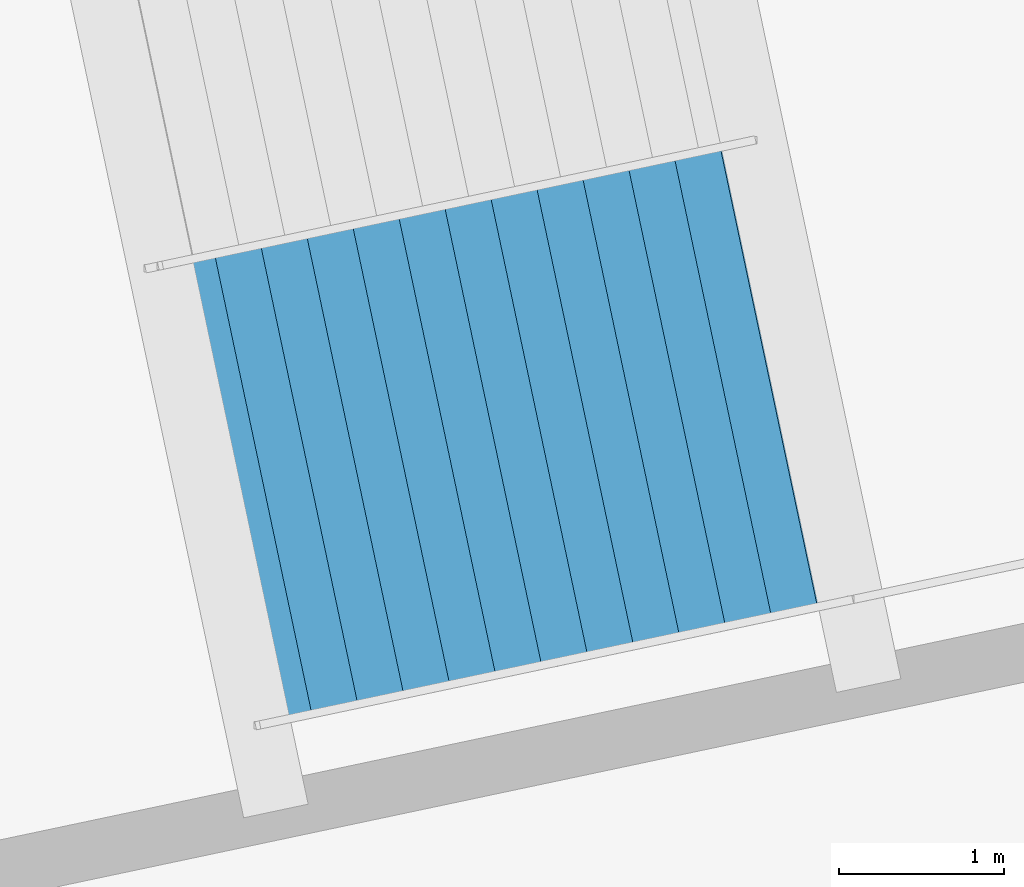
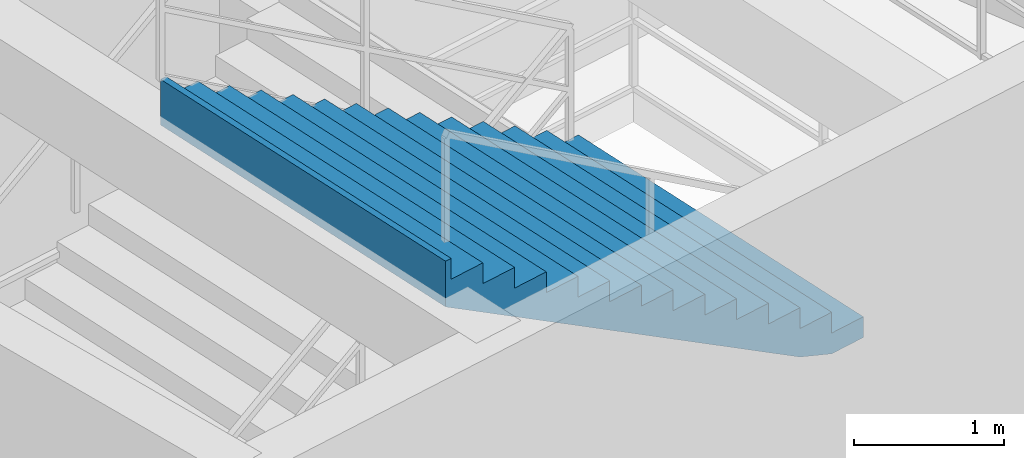
# One storey, part 146 of 171: 1 stair flight, 1 element without a shape of its own.
"""IFC4 building model written with IfcOpenShell, lengths in metres."""

from ifc_helpers import new_model, si_unit, direction, frame, origin, place, context, subcontext, project, spatial, polygons, material, type_object, element, aggregate, save


model = new_model("IFC4")

# Units and contexts
model_context = context("Model", 3, precision=1e-05, world=origin(), true_north=direction((0.0, 1.0)))
body_context = subcontext(model_context, "Body", "Model", "MODEL_VIEW")
ifc_project = project(units=[si_unit("LENGTHUNIT", "METRE"), si_unit("AREAUNIT", "SQUARE_METRE"), si_unit("VOLUMEUNIT", "CUBIC_METRE"), si_unit("PLANEANGLEUNIT", "RADIAN"), si_unit("MASSUNIT", "GRAM", prefix="KILO")], contexts=[model_context])

# Site, building, storey
site_placement = place(None, origin())
site = spatial("IfcSite", under=ifc_project, at=site_placement, CompositionType="ELEMENT")
building_placement = place(site_placement, origin())
building = spatial("IfcBuilding", under=site, at=building_placement, Name="Kazemori Nagisa Stadium", CompositionType="ELEMENT")
storey_placement = place(building_placement, frame((0.0, 0.0, 15.639892578125)))
storey = spatial("IfcBuildingStorey", under=building, at=storey_placement, Name="L03", CompositionType="ELEMENT", Elevation=15.639892578125)

# Stair, stair flight
ifc_material = material(Name="Concrete C36/45 (Fc36)", Category="concrete")
stair_type = type_object("IfcStairType", Name="Stair_CORE_28", PredefinedType="TWO_STRAIGHT_RUN_STAIR", material=ifc_material)
stair_placement = place(storey_placement, origin())
stair = element("IfcStair", 1, at=stair_placement, inside=storey, type_object=stair_type, Name="Exit stair ST06 L03", PredefinedType="TWO_STRAIGHT_RUN_STAIR")
stair_flight_type = type_object("IfcStairFlightType", Name="Flight_CORE_14", PredefinedType="STRAIGHT", material=ifc_material)
stair_flight_placement = place(storey_placement, frame((150.33544921875, 22.947998046875, 2.380126953125), z_axis=(0.0, 0.0, 1.0), x_axis=(-0.978345854204, -0.206976785078, 0.0)))
stair_flight = element("IfcStairFlight", 2, at=stair_flight_placement, type_object=stair_flight_type, Name="Exit stair ST06 L03 flight 2", NumberOfRisers=14, NumberOfTreads=13, PredefinedType="STRAIGHT", RiserHeight=0.17, TreadLength=0.285, context=body_context, shape_type="Tessellation", body=[
    polygons([(0.0, -1.425048828125, 0.0), (0.0, -1.425048828125, 0.169921875), (0.284912109375, -1.425048828125, 0.169921875), (0.284912109375, -1.425048828125, 0.340087890625), (0.570068359375, -1.425048828125, 0.340087890625), (0.570068359375, -1.425048828125, 0.510009765625), (0.85498046875, -1.425048828125, 0.510009765625), (0.85498046875, -1.425048828125, 0.679931640625), (1.139892578125, -1.425048828125, 0.679931640625), (1.139892578125, -1.425048828125, 0.85009765625), (1.425048828125, -1.425048828125, 0.85009765625), (1.425048828125, -1.425048828125, 1.02001953125), (1.7099609375, -1.425048828125, 1.02001953125), (1.7099609375, -1.425048828125, 1.18994140625), (1.9951171875, -1.425048828125, 1.18994140625), (1.9951171875, -1.425048828125, 1.360107421875), (2.280029296875, -1.425048828125, 1.360107421875), (2.280029296875, -1.425048828125, 1.530029296875), (2.56494140625, -1.425048828125, 1.530029296875), (2.56494140625, -1.425048828125, 1.699951171875), (2.85009765625, -1.425048828125, 1.699951171875), (2.85009765625, -1.425048828125, 1.8701171875), (3.135009765625, -1.425048828125, 1.8701171875), (3.135009765625, -1.425048828125, 2.0400390625), (3.419921875, -1.425048828125, 2.0400390625), (3.419921875, -1.425048828125, 2.2099609375), (3.705078125, -1.425048828125, 2.2099609375), (3.705078125, -1.425048828125, 2.3798828125), (3.7548828125, -1.425048828125, 2.3798828125), (3.7548828125, -1.425048828125, 2.007080078125), (3.705078125, -1.425048828125, 1.977294921875), (3.419921875, -1.425048828125, 1.80712890625), (3.135009765625, -1.425048828125, 1.63720703125), (2.85009765625, -1.425048828125, 1.46728515625), (2.56494140625, -1.425048828125, 1.297119140625), (2.280029296875, -1.425048828125, 1.127197265625), (1.9951171875, -1.425048828125, 0.957275390625), (1.7099609375, -1.425048828125, 0.787109375), (1.425048828125, -1.425048828125, 0.6171875), (1.139892578125, -1.425048828125, 0.447265625), (0.85498046875, -1.425048828125, 0.277099609375), (0.570068359375, -1.425048828125, 0.107177734375), (0.284912109375, -1.425048828125, 0.0), (0.0, -0.08544921875, 0.0), (0.0, -0.08544921875, 0.169921875), (0.284912109375, -0.08544921875, 0.169921875), (0.284912109375, -0.08544921875, 0.340087890625), (0.570068359375, -0.08544921875, 0.340087890625), (0.570068359375, -0.08544921875, 0.510009765625), (0.85498046875, -0.08544921875, 0.510009765625), (0.85498046875, -0.08544921875, 0.679931640625), (1.139892578125, -0.08544921875, 0.679931640625), (1.139892578125, -0.08544921875, 0.85009765625), (1.425048828125, -0.08544921875, 0.85009765625), (1.425048828125, -0.08544921875, 1.02001953125), (1.7099609375, -0.08544921875, 1.02001953125), (1.7099609375, -0.08544921875, 1.18994140625), (1.9951171875, -0.08544921875, 1.18994140625), (1.9951171875, -0.08544921875, 1.360107421875), (2.280029296875, -0.08544921875, 1.360107421875), (2.280029296875, -0.08544921875, 1.530029296875), (2.56494140625, -0.08544921875, 1.530029296875), (2.56494140625, -0.08544921875, 1.699951171875), (2.85009765625, -0.08544921875, 1.699951171875), (2.85009765625, -0.08544921875, 1.8701171875), (3.135009765625, -0.08544921875, 1.8701171875), (3.135009765625, -0.08544921875, 2.0400390625), (3.419921875, -0.08544921875, 2.0400390625), (3.419921875, -0.08544921875, 2.2099609375), (3.705078125, -0.08544921875, 2.2099609375), (3.705078125, -0.08544921875, 2.3798828125), (3.7548828125, -0.08544921875, 2.3798828125), (3.7548828125, -0.08544921875, 2.007080078125), (3.705078125, -0.08544921875, 1.977294921875), (3.419921875, -0.08544921875, 1.80712890625), (3.135009765625, -0.08544921875, 1.63720703125), (2.85009765625, -0.08544921875, 1.46728515625), (2.56494140625, -0.08544921875, 1.297119140625), (2.280029296875, -0.08544921875, 1.127197265625), (1.9951171875, -0.08544921875, 0.957275390625), (1.7099609375, -0.08544921875, 0.787109375), (1.425048828125, -0.08544921875, 0.6171875), (1.139892578125, -0.08544921875, 0.447265625), (0.85498046875, -0.08544921875, 0.277099609375), (0.570068359375, -0.08544921875, 0.107177734375), (0.284912109375, -0.08544921875, 0.0), (0.0, 0.0, 0.0), (0.0, 0.0, 0.169921875), (0.284912109375, 0.0, 0.169921875), (0.284912109375, 0.0, 0.340087890625), (0.570068359375, 0.0, 0.340087890625), (0.570068359375, 0.0, 0.510009765625), (0.85498046875, 0.0, 0.510009765625), (0.85498046875, 0.0, 0.679931640625), (1.139892578125, 0.0, 0.679931640625), (1.139892578125, 0.0, 0.85009765625), (1.425048828125, 0.0, 0.85009765625), (1.425048828125, 0.0, 1.02001953125), (1.7099609375, 0.0, 1.02001953125), (1.7099609375, 0.0, 1.18994140625), (1.9951171875, 0.0, 1.18994140625), (1.9951171875, 0.0, 1.360107421875), (2.280029296875, 0.0, 1.360107421875), (2.280029296875, 0.0, 1.530029296875), (2.56494140625, 0.0, 1.530029296875), (2.56494140625, 0.0, 1.699951171875), (2.85009765625, 0.0, 1.699951171875), (2.85009765625, 0.0, 1.8701171875), (3.135009765625, 0.0, 1.8701171875), (3.135009765625, 0.0, 2.0400390625), (3.419921875, 0.0, 2.0400390625), (3.419921875, 0.0, 2.2099609375), (3.705078125, 0.0, 2.2099609375), (3.705078125, 0.0, 2.3798828125), (3.7548828125, 0.0, 2.3798828125), (3.7548828125, 0.0, 2.007080078125), (3.705078125, 0.0, 1.977294921875), (3.419921875, 0.0, 1.80712890625), (3.135009765625, 0.0, 1.63720703125), (2.85009765625, 0.0, 1.46728515625), (2.56494140625, 0.0, 1.297119140625), (2.280029296875, 0.0, 1.127197265625), (1.9951171875, 0.0, 0.957275390625), (1.7099609375, 0.0, 0.787109375), (1.425048828125, 0.0, 0.6171875), (1.139892578125, 0.0, 0.447265625), (0.85498046875, 0.0, 0.277099609375), (0.570068359375, 0.0, 0.107177734375), (0.284912109375, 0.0, 0.0), (0.0, 0.08544921875, 0.0), (0.0, 0.08544921875, 0.169921875), (0.284912109375, 0.08544921875, 0.169921875), (0.284912109375, 0.08544921875, 0.340087890625), (0.570068359375, 0.08544921875, 0.340087890625), (0.570068359375, 0.08544921875, 0.510009765625), (0.85498046875, 0.08544921875, 0.510009765625), (0.85498046875, 0.08544921875, 0.679931640625), (1.139892578125, 0.08544921875, 0.679931640625), (1.139892578125, 0.08544921875, 0.85009765625), (1.425048828125, 0.08544921875, 0.85009765625), (1.425048828125, 0.08544921875, 1.02001953125), (1.7099609375, 0.08544921875, 1.02001953125), (1.7099609375, 0.08544921875, 1.18994140625), (1.9951171875, 0.08544921875, 1.18994140625), (1.9951171875, 0.08544921875, 1.360107421875), (2.280029296875, 0.08544921875, 1.360107421875), (2.280029296875, 0.08544921875, 1.530029296875), (2.56494140625, 0.08544921875, 1.530029296875), (2.56494140625, 0.08544921875, 1.699951171875), (2.85009765625, 0.08544921875, 1.699951171875), (2.85009765625, 0.08544921875, 1.8701171875), (3.135009765625, 0.08544921875, 1.8701171875), (3.135009765625, 0.08544921875, 2.0400390625), (3.419921875, 0.08544921875, 2.0400390625), (3.419921875, 0.08544921875, 2.2099609375), (3.705078125, 0.08544921875, 2.2099609375), (3.705078125, 0.08544921875, 2.3798828125), (3.7548828125, 0.08544921875, 2.3798828125), (3.7548828125, 0.08544921875, 2.007080078125), (3.705078125, 0.08544921875, 1.977294921875), (3.419921875, 0.08544921875, 1.80712890625), (3.135009765625, 0.08544921875, 1.63720703125), (2.85009765625, 0.08544921875, 1.46728515625), (2.56494140625, 0.08544921875, 1.297119140625), (2.280029296875, 0.08544921875, 1.127197265625), (1.9951171875, 0.08544921875, 0.957275390625), (1.7099609375, 0.08544921875, 0.787109375), (1.425048828125, 0.08544921875, 0.6171875), (1.139892578125, 0.08544921875, 0.447265625), (0.85498046875, 0.08544921875, 0.277099609375), (0.570068359375, 0.08544921875, 0.107177734375), (0.284912109375, 0.08544921875, 0.0), (0.0, 1.425048828125, 0.0), (0.0, 1.425048828125, 0.169921875), (0.284912109375, 1.425048828125, 0.169921875), (0.284912109375, 1.425048828125, 0.340087890625), (0.570068359375, 1.425048828125, 0.340087890625), (0.570068359375, 1.425048828125, 0.510009765625), (0.85498046875, 1.425048828125, 0.510009765625), (0.85498046875, 1.425048828125, 0.679931640625), (1.139892578125, 1.425048828125, 0.679931640625), (1.139892578125, 1.425048828125, 0.85009765625), (1.425048828125, 1.425048828125, 0.85009765625), (1.425048828125, 1.425048828125, 1.02001953125), (1.7099609375, 1.425048828125, 1.02001953125), (1.7099609375, 1.425048828125, 1.18994140625), (1.9951171875, 1.425048828125, 1.18994140625), (1.9951171875, 1.425048828125, 1.360107421875), (2.280029296875, 1.425048828125, 1.360107421875), (2.280029296875, 1.425048828125, 1.530029296875), (2.56494140625, 1.425048828125, 1.530029296875), (2.56494140625, 1.425048828125, 1.699951171875), (2.85009765625, 1.425048828125, 1.699951171875), (2.85009765625, 1.425048828125, 1.8701171875), (3.135009765625, 1.425048828125, 1.8701171875), (3.135009765625, 1.425048828125, 2.0400390625), (3.419921875, 1.425048828125, 2.0400390625), (3.419921875, 1.425048828125, 2.2099609375), (3.705078125, 1.425048828125, 2.2099609375), (3.705078125, 1.425048828125, 2.3798828125), (3.7548828125, 1.425048828125, 2.3798828125), (3.7548828125, 1.425048828125, 2.007080078125), (3.705078125, 1.425048828125, 1.977294921875), (3.419921875, 1.425048828125, 1.80712890625), (3.135009765625, 1.425048828125, 1.63720703125), (2.85009765625, 1.425048828125, 1.46728515625), (2.56494140625, 1.425048828125, 1.297119140625), (2.280029296875, 1.425048828125, 1.127197265625), (1.9951171875, 1.425048828125, 0.957275390625), (1.7099609375, 1.425048828125, 0.787109375), (1.425048828125, 1.425048828125, 0.6171875), (1.139892578125, 1.425048828125, 0.447265625), (0.85498046875, 1.425048828125, 0.277099609375), (0.570068359375, 1.425048828125, 0.107177734375), (0.284912109375, 1.425048828125, 0.0)], [[[1, 2, 45]], [[1, 45, 44]], [[2, 3, 46]], [[2, 46, 45]], [[3, 4, 47]], [[3, 47, 46]], [[4, 5, 48]], [[4, 48, 47]], [[5, 6, 49]], [[5, 49, 48]], [[6, 7, 50]], [[6, 50, 49]], [[7, 8, 51]], [[7, 51, 50]], [[8, 9, 52]], [[8, 52, 51]], [[9, 10, 53]], [[9, 53, 52]], [[10, 11, 54]], [[10, 54, 53]], [[11, 12, 55]], [[11, 55, 54]], [[12, 13, 56]], [[12, 56, 55]], [[13, 14, 57]], [[13, 57, 56]], [[14, 15, 58]], [[14, 58, 57]], [[15, 16, 59]], [[15, 59, 58]], [[16, 17, 60]], [[16, 60, 59]], [[17, 18, 61]], [[17, 61, 60]], [[18, 19, 62]], [[18, 62, 61]], [[19, 20, 63]], [[19, 63, 62]], [[20, 21, 64]], [[20, 64, 63]], [[21, 22, 65]], [[21, 65, 64]], [[22, 23, 66]], [[22, 66, 65]], [[23, 24, 67]], [[23, 67, 66]], [[24, 25, 68]], [[24, 68, 67]], [[25, 26, 69]], [[25, 69, 68]], [[26, 27, 70]], [[26, 70, 69]], [[27, 28, 71]], [[27, 71, 70]], [[28, 29, 72]], [[28, 72, 71]], [[29, 30, 73]], [[29, 73, 72]], [[30, 31, 74]], [[30, 74, 73]], [[31, 32, 75]], [[31, 75, 74]], [[32, 33, 76]], [[32, 76, 75]], [[33, 34, 77]], [[33, 77, 76]], [[34, 35, 78]], [[34, 78, 77]], [[35, 36, 79]], [[35, 79, 78]], [[36, 37, 80]], [[36, 80, 79]], [[37, 38, 81]], [[37, 81, 80]], [[38, 39, 82]], [[38, 82, 81]], [[39, 40, 83]], [[39, 83, 82]], [[40, 41, 84]], [[40, 84, 83]], [[41, 42, 85]], [[41, 85, 84]], [[42, 43, 86]], [[42, 86, 85]], [[43, 1, 44]], [[43, 44, 86]], [[44, 45, 88]], [[44, 88, 87]], [[45, 46, 89]], [[45, 89, 88]], [[46, 47, 90]], [[46, 90, 89]], [[47, 48, 91]], [[47, 91, 90]], [[48, 49, 92]], [[48, 92, 91]], [[49, 50, 93]], [[49, 93, 92]], [[50, 51, 94]], [[50, 94, 93]], [[51, 52, 95]], [[51, 95, 94]], [[52, 53, 96]], [[52, 96, 95]], [[53, 54, 97]], [[53, 97, 96]], [[54, 55, 98]], [[54, 98, 97]], [[55, 56, 99]], [[55, 99, 98]], [[56, 57, 100]], [[56, 100, 99]], [[57, 58, 101]], [[57, 101, 100]], [[58, 59, 102]], [[58, 102, 101]], [[59, 60, 103]], [[59, 103, 102]], [[60, 61, 104]], [[60, 104, 103]], [[61, 62, 105]], [[61, 105, 104]], [[62, 63, 106]], [[62, 106, 105]], [[63, 64, 107]], [[63, 107, 106]], [[64, 65, 108]], [[64, 108, 107]], [[65, 66, 109]], [[65, 109, 108]], [[66, 67, 110]], [[66, 110, 109]], [[67, 68, 111]], [[67, 111, 110]], [[68, 69, 112]], [[68, 112, 111]], [[69, 70, 113]], [[69, 113, 112]], [[70, 71, 114]], [[70, 114, 113]], [[71, 72, 115]], [[71, 115, 114]], [[72, 73, 116]], [[72, 116, 115]], [[73, 74, 117]], [[73, 117, 116]], [[74, 75, 118]], [[74, 118, 117]], [[75, 76, 119]], [[75, 119, 118]], [[76, 77, 120]], [[76, 120, 119]], [[77, 78, 121]], [[77, 121, 120]], [[78, 79, 122]], [[78, 122, 121]], [[79, 80, 123]], [[79, 123, 122]], [[80, 81, 124]], [[80, 124, 123]], [[81, 82, 125]], [[81, 125, 124]], [[82, 83, 126]], [[82, 126, 125]], [[83, 84, 127]], [[83, 127, 126]], [[84, 85, 128]], [[84, 128, 127]], [[85, 86, 129]], [[85, 129, 128]], [[86, 44, 87]], [[86, 87, 129]], [[87, 88, 131]], [[87, 131, 130]], [[88, 89, 132]], [[88, 132, 131]], [[89, 90, 133]], [[89, 133, 132]], [[90, 91, 134]], [[90, 134, 133]], [[91, 92, 135]], [[91, 135, 134]], [[92, 93, 136]], [[92, 136, 135]], [[93, 94, 137]], [[93, 137, 136]], [[94, 95, 138]], [[94, 138, 137]], [[95, 96, 139]], [[95, 139, 138]], [[96, 97, 140]], [[96, 140, 139]], [[97, 98, 141]], [[97, 141, 140]], [[98, 99, 142]], [[98, 142, 141]], [[99, 100, 143]], [[99, 143, 142]], [[100, 101, 144]], [[100, 144, 143]], [[101, 102, 145]], [[101, 145, 144]], [[102, 103, 146]], [[102, 146, 145]], [[103, 104, 147]], [[103, 147, 146]], [[104, 105, 148]], [[104, 148, 147]], [[105, 106, 149]], [[105, 149, 148]], [[106, 107, 150]], [[106, 150, 149]], [[107, 108, 151]], [[107, 151, 150]], [[108, 109, 152]], [[108, 152, 151]], [[109, 110, 153]], [[109, 153, 152]], [[110, 111, 154]], [[110, 154, 153]], [[111, 112, 155]], [[111, 155, 154]], [[112, 113, 156]], [[112, 156, 155]], [[113, 114, 157]], [[113, 157, 156]], [[114, 115, 158]], [[114, 158, 157]], [[115, 116, 159]], [[115, 159, 158]], [[116, 117, 160]], [[116, 160, 159]], [[117, 118, 161]], [[117, 161, 160]], [[118, 119, 162]], [[118, 162, 161]], [[119, 120, 163]], [[119, 163, 162]], [[120, 121, 164]], [[120, 164, 163]], [[121, 122, 165]], [[121, 165, 164]], [[122, 123, 166]], [[122, 166, 165]], [[123, 124, 167]], [[123, 167, 166]], [[124, 125, 168]], [[124, 168, 167]], [[125, 126, 169]], [[125, 169, 168]], [[126, 127, 170]], [[126, 170, 169]], [[127, 128, 171]], [[127, 171, 170]], [[128, 129, 172]], [[128, 172, 171]], [[129, 87, 130]], [[129, 130, 172]], [[130, 131, 174]], [[130, 174, 173]], [[131, 132, 175]], [[131, 175, 174]], [[132, 133, 176]], [[132, 176, 175]], [[133, 134, 177]], [[133, 177, 176]], [[134, 135, 178]], [[134, 178, 177]], [[135, 136, 179]], [[135, 179, 178]], [[136, 137, 180]], [[136, 180, 179]], [[137, 138, 181]], [[137, 181, 180]], [[138, 139, 182]], [[138, 182, 181]], [[139, 140, 183]], [[139, 183, 182]], [[140, 141, 184]], [[140, 184, 183]], [[141, 142, 185]], [[141, 185, 184]], [[142, 143, 186]], [[142, 186, 185]], [[143, 144, 187]], [[143, 187, 186]], [[144, 145, 188]], [[144, 188, 187]], [[145, 146, 189]], [[145, 189, 188]], [[146, 147, 190]], [[146, 190, 189]], [[147, 148, 191]], [[147, 191, 190]], [[148, 149, 192]], [[148, 192, 191]], [[149, 150, 193]], [[149, 193, 192]], [[150, 151, 194]], [[150, 194, 193]], [[151, 152, 195]], [[151, 195, 194]], [[152, 153, 196]], [[152, 196, 195]], [[153, 154, 197]], [[153, 197, 196]], [[154, 155, 198]], [[154, 198, 197]], [[155, 156, 199]], [[155, 199, 198]], [[156, 157, 200]], [[156, 200, 199]], [[157, 158, 201]], [[157, 201, 200]], [[158, 159, 202]], [[158, 202, 201]], [[159, 160, 203]], [[159, 203, 202]], [[160, 161, 204]], [[160, 204, 203]], [[161, 162, 205]], [[161, 205, 204]], [[162, 163, 206]], [[162, 206, 205]], [[163, 164, 207]], [[163, 207, 206]], [[164, 165, 208]], [[164, 208, 207]], [[165, 166, 209]], [[165, 209, 208]], [[166, 167, 210]], [[166, 210, 209]], [[167, 168, 211]], [[167, 211, 210]], [[168, 169, 212]], [[168, 212, 211]], [[169, 170, 213]], [[169, 213, 212]], [[170, 171, 214]], [[170, 214, 213]], [[171, 172, 215]], [[171, 215, 214]], [[172, 130, 173]], [[172, 173, 215]], [[3, 2, 1]], [[173, 174, 175]], [[43, 3, 1]], [[173, 175, 215]], [[42, 3, 43]], [[215, 175, 214]], [[5, 3, 42]], [[214, 175, 177]], [[5, 4, 3]], [[175, 176, 177]], [[41, 5, 42]], [[214, 177, 213]], [[7, 5, 41]], [[213, 177, 179]], [[7, 6, 5]], [[177, 178, 179]], [[40, 7, 41]], [[213, 179, 212]], [[9, 7, 40]], [[212, 179, 181]], [[9, 8, 7]], [[179, 180, 181]], [[39, 9, 40]], [[212, 181, 211]], [[11, 9, 39]], [[211, 181, 183]], [[11, 10, 9]], [[181, 182, 183]], [[38, 11, 39]], [[211, 183, 210]], [[13, 11, 38]], [[210, 183, 185]], [[13, 12, 11]], [[183, 184, 185]], [[37, 13, 38]], [[210, 185, 209]], [[15, 13, 37]], [[209, 185, 187]], [[15, 14, 13]], [[185, 186, 187]], [[36, 15, 37]], [[209, 187, 208]], [[17, 15, 36]], [[208, 187, 189]], [[17, 16, 15]], [[187, 188, 189]], [[35, 17, 36]], [[208, 189, 207]], [[19, 17, 35]], [[207, 189, 191]], [[19, 18, 17]], [[189, 190, 191]], [[34, 19, 35]], [[207, 191, 206]], [[21, 19, 34]], [[206, 191, 193]], [[21, 20, 19]], [[191, 192, 193]], [[33, 21, 34]], [[206, 193, 205]], [[23, 21, 33]], [[205, 193, 195]], [[23, 22, 21]], [[193, 194, 195]], [[32, 23, 33]], [[205, 195, 204]], [[25, 23, 32]], [[204, 195, 197]], [[25, 24, 23]], [[195, 196, 197]], [[31, 25, 32]], [[204, 197, 203]], [[27, 25, 31]], [[203, 197, 199]], [[27, 26, 25]], [[197, 198, 199]], [[30, 27, 31]], [[203, 199, 202]], [[29, 27, 30]], [[202, 199, 201]], [[29, 28, 27]], [[199, 200, 201]]], closed=True),
])
aggregate(stair, [stair_flight])

save(model, "model.ifc")
